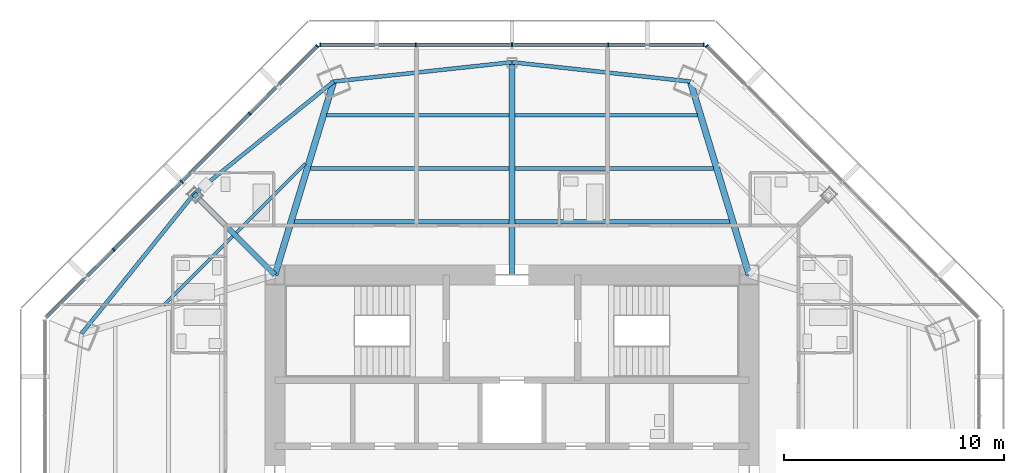
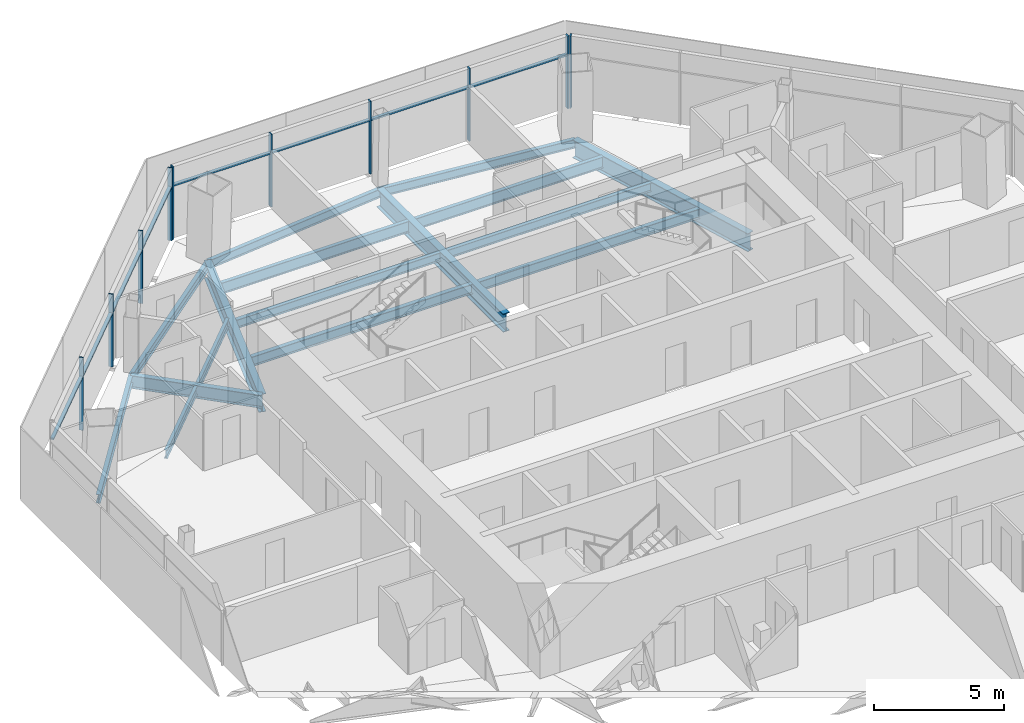
# One storey, part 5 of 14: 18 members, 16 beams, 3 elements without a shape of their own.
"""IFC4 building model written with IfcOpenShell, lengths in metres."""

from ifc_helpers import new_model, si_unit, direction, frame, origin, origin_2d, place, context, subcontext, project, spatial, rectangle, i_section, extrude, source, transform, mapped, material, material_profile, profile_set, type_object, type_shapes, element, aggregate, save


model = new_model("IFC4")

# Units and contexts
model_context = context("Model", 3, precision=1e-05, world=origin(), true_north=direction((0.0, 1.0)))
body_context = subcontext(model_context, "Body", "Model", "MODEL_VIEW")
ifc_project = project(units=[si_unit("LENGTHUNIT", "METRE"), si_unit("AREAUNIT", "SQUARE_METRE"), si_unit("VOLUMEUNIT", "CUBIC_METRE"), si_unit("PLANEANGLEUNIT", "RADIAN"), si_unit("MASSUNIT", "GRAM", prefix="KILO")], contexts=[model_context])

# Site, building, storey
site_placement = place(None, origin())
site = spatial("IfcSite", under=ifc_project, at=site_placement, CompositionType="ELEMENT")
building_placement = place(site_placement, origin())
building = spatial("IfcBuilding", under=site, at=building_placement, Name="Mashrafa Tower", CompositionType="ELEMENT")
storey_placement = place(building_placement, frame((0.0, 0.0, 238.0)))
storey = spatial("IfcBuildingStorey", under=building, at=storey_placement, Name="L56", CompositionType="ELEMENT", Elevation=238.0)

# Beams
ifc_material_1 = material(Name="Steel ASTM A992", Category="steel")
ifc_material_profile_1 = material_profile(ifc_material_1, i_section(OverallWidth=0.140380859375, OverallDepth=0.40380859375, WebThickness=0.007080078125, FlangeThickness=0.01123046875, FilletRadius=0.01025390625, at=origin_2d()), Name="W16X31")
ifc_profile_set_1 = profile_set([ifc_material_profile_1], Name="Steel ASTM A992")
beam_type_1 = type_object("IfcBeamType", Name="Beam W16X31", PredefinedType="BEAM", material=ifc_profile_set_1)
for number, where, z_axis, x_axis, name in (
    (1, (-15.877685546875, 9.409423828125, -0.40185546875), (0.707134152885, 0.707079408428, 0.0), (-0.707079408428, 0.707134152885, 0.0), "Floor beam L56 003"),
    (2, (-12.562744140625, 12.72412109375, -0.40185546875), (0.707079408428, 0.707134152885, 0.0), (-0.707134152885, 0.707079408428, 0.0), "Floor beam L56 009"),
):
    element("IfcBeam", number, at=place(storey_placement, frame(where, z_axis=z_axis, x_axis=x_axis)), inside=storey, type_object=beam_type_1, Name=name, PredefinedType="BEAM", context=body_context, shape_type="SweptSolid", body=[
        extrude(i_section(OverallWidth=0.140380859375, OverallDepth=0.40380859375, WebThickness=0.007080078125, FlangeThickness=0.01123046875, FilletRadius=0.01025390625, at=origin_2d()), origin(), (0.0, 0.0, 1.0), 4.459716796875),
    ])
ifc_material_2 = material(Name="Steel ASTM A992", Category="steel")
ifc_material_profile_2 = material_profile(ifc_material_2, i_section(OverallWidth=0.177734375, OverallDepth=0.406494140625, WebThickness=0.0078125, FlangeThickness=0.012939453125, FilletRadius=0.01025390625, at=origin_2d()), Name="W16X40")
ifc_profile_set_2 = profile_set([ifc_material_profile_2], Name="Steel ASTM A992")
beam_type_2 = type_object("IfcBeamType", Name="Beam W16X40", PredefinedType="BEAM", material=ifc_profile_set_2)
for number, where, z_axis, x_axis, name in (
    (3, (-9.17529296875, 15.643798828125, -0.4033203125), (1.0, 0.0, 0.0), (0.0, 1.0, 0.0), "Floor beam L56 011"),
    (4, (0.14599609375, 15.643798828125, -0.4033203125), (1.0, 0.0, 0.0), (0.0, 1.0, 0.0), "Floor beam L56 018"),
):
    element("IfcBeam", number, at=place(storey_placement, frame(where, z_axis=z_axis, x_axis=x_axis)), inside=storey, type_object=beam_type_2, Name=name, PredefinedType="BEAM", context=body_context, shape_type="SweptSolid", body=[
        extrude(i_section(OverallWidth=0.177734375, OverallDepth=0.406494140625, WebThickness=0.0078125, FlangeThickness=0.012939453125, FilletRadius=0.01025390625, at=origin_2d()), origin(), (0.0, 0.0, 1.0), 9.029296875),
    ])
for number, where, z_axis, x_axis, name in (
    (5, (-14.487060546875, 14.487060546875, -0.4033203125), (-0.62700277054, -0.779017025318, 0.0), (0.779017025318, -0.62700277054, 0.0), "Spandrel beam L56 053"),
    (6, (-8.12255859375, 19.609619140625, -0.4033203125), (-0.779017025318, -0.62700277054, 0.0), (0.62700277054, -0.779017025318, 0.0), "Spandrel beam L56 055"),
    (7, (0.0, 20.48779296875, -0.4033203125), (-0.994206270799, -0.107489027835, 0.0), (0.107489027835, -0.994206270799, 0.0), "Spandrel beam L56 057"),
    (8, (8.12255859375, 19.609619140625, -0.4033203125), (-0.994206270799, 0.107489027835, 0.0), (-0.107489027835, -0.994206270799, 0.0), "Spandrel beam L56 059"),
):
    element("IfcBeam", number, at=place(storey_placement, frame(where, z_axis=z_axis, x_axis=x_axis)), inside=storey, type_object=beam_type_2, Name=name, PredefinedType="BEAM", context=body_context, shape_type="SweptSolid", body=[
        extrude(i_section(OverallWidth=0.177734375, OverallDepth=0.406494140625, WebThickness=0.0078125, FlangeThickness=0.012939453125, FilletRadius=0.01025390625, at=origin_2d()), origin(), (0.0, 0.0, 1.0), 8.169921875),
    ])
ifc_material_3 = material(Name="Steel ASTM A992", Category="steel")
ifc_material_profile_3 = material_profile(ifc_material_3, i_section(OverallWidth=0.191162109375, OverallDepth=0.459716796875, WebThickness=0.010009765625, FlangeThickness=0.01611328125, FilletRadius=0.01025390625, at=origin_2d()), Name="W18X55")
ifc_profile_set_3 = profile_set([ifc_material_profile_3], Name="Steel ASTM A992")
beam_type_3 = type_object("IfcBeamType", Name="Beam W18X55", PredefinedType="BEAM", material=ifc_profile_set_3)
for number, where, z_axis, x_axis, name in (
    (9, (-9.911376953125, 13.221923828125, -0.429931640625), (1.0, 0.0, 0.0), (0.0, 1.0, 0.0), "Floor beam L56 010"),
    (10, (0.14599609375, 13.221923828125, -0.429931640625), (1.0, 0.0, 0.0), (0.0, 1.0, 0.0), "Floor beam L56 017"),
):
    element("IfcBeam", number, at=place(storey_placement, frame(where, z_axis=z_axis, x_axis=x_axis)), inside=storey, type_object=beam_type_3, Name=name, PredefinedType="BEAM", context=body_context, shape_type="SweptSolid", body=[
        extrude(i_section(OverallWidth=0.191162109375, OverallDepth=0.459716796875, WebThickness=0.010009765625, FlangeThickness=0.01611328125, FilletRadius=0.01025390625, at=origin_2d()), origin(), (0.0, 0.0, 1.0), 9.765380859375),
    ])
ifc_material_4 = material(Name="Steel ASTM A992", Category="steel")
ifc_material_profile_4 = material_profile(ifc_material_4, i_section(OverallWidth=0.165771484375, OverallDepth=0.5283203125, WebThickness=0.009765625, FlangeThickness=0.013671875, FilletRadius=0.012939453125, at=origin_2d()), Name="W21X50")
ifc_profile_set_4 = profile_set([ifc_material_profile_4], Name="Steel ASTM A992")
beam_type_4 = type_object("IfcBeamType", Name="Beam W21X50", PredefinedType="BEAM", material=ifc_profile_set_4)
for number, where, z_axis, x_axis, name in (
    (11, (-8.439208984375, 18.06591796875, -0.464111328125), (1.0, 0.0, 0.0), (0.0, 1.0, 0.0), "Floor beam L56 013"),
    (12, (0.14599609375, 18.06591796875, -0.464111328125), (1.0, 0.0, 0.0), (0.0, 1.0, 0.0), "Floor beam L56 019"),
):
    element("IfcBeam", number, at=place(storey_placement, frame(where, z_axis=z_axis, x_axis=x_axis)), inside=storey, type_object=beam_type_4, Name=name, PredefinedType="BEAM", context=body_context, shape_type="SweptSolid", body=[
        extrude(i_section(OverallWidth=0.165771484375, OverallDepth=0.5283203125, WebThickness=0.009765625, FlangeThickness=0.013671875, FilletRadius=0.012939453125, at=origin_2d()), origin(), (0.0, 0.0, 1.0), 8.293212890625),
    ])
ifc_material_5 = material(Name="Steel ASTM A992", Category="steel")
ifc_material_profile_5 = material_profile(ifc_material_5, i_section(OverallWidth=0.228271484375, OverallDepth=0.607177734375, WebThickness=0.01123046875, FlangeThickness=0.017333984375, FilletRadius=0.0126953125, at=origin_2d()), Name="W24X76")
ifc_profile_set_5 = profile_set([ifc_material_profile_5], Name="Steel ASTM A992")
beam_type_5 = type_object("IfcBeamType", Name="Beam W24X76", PredefinedType="BEAM", material=ifc_profile_set_5)
beam_1_placement = place(storey_placement, frame((-10.800048828125, 10.800048828125, -0.50341796875), z_axis=(-0.707106781187, 0.707106781187, 0.0), x_axis=(-0.707106781187, -0.707106781187, 0.0)))
element("IfcBeam", 13, at=beam_1_placement, inside=storey, type_object=beam_type_5, Name="Radial girder L56 038", PredefinedType="BEAM", context=body_context, shape_type="SweptSolid", body=[
    extrude(i_section(OverallWidth=0.228271484375, OverallDepth=0.607177734375, WebThickness=0.01123046875, FlangeThickness=0.017333984375, FilletRadius=0.0126953125, at=origin_2d()), origin(), (0.0, 0.0, 1.0), 5.214111328125),
])
ifc_material_6 = material(Name="Steel ASTM A992", Category="steel")
ifc_material_profile_6 = material_profile(ifc_material_6, i_section(OverallWidth=0.2919921875, OverallDepth=0.845703125, WebThickness=0.015380859375, FlangeThickness=0.0244140625, FilletRadius=0.017333984375, at=origin_2d()), Name="W33X141")
ifc_profile_set_6 = profile_set([ifc_material_profile_6], Name="Steel ASTM A992")
beam_type_6 = type_object("IfcBeamType", Name="Beam W33X141", PredefinedType="BEAM", material=ifc_profile_set_6)
for number, where, z_axis, x_axis, name in (
    (14, (-10.800048828125, 10.800048828125, -0.622802734375), (0.290795469561, 0.956785239687, 0.0), (-0.956785239687, 0.290795469561, 0.0), "Radial girder L56 039"),
    (15, (10.800048828125, 10.800048828125, -0.622802734375), (-0.290795469561, 0.956785239687, 0.0), (-0.956785239687, -0.290795469561, 0.0), "Radial girder L56 046"),
):
    element("IfcBeam", number, at=place(storey_placement, frame(where, z_axis=z_axis, x_axis=x_axis)), inside=storey, type_object=beam_type_6, Name=name, PredefinedType="BEAM", context=body_context, shape_type="SweptSolid", body=[
        extrude(i_section(OverallWidth=0.2919921875, OverallDepth=0.845703125, WebThickness=0.015380859375, FlangeThickness=0.0244140625, FilletRadius=0.017333984375, at=origin_2d()), origin(), (0.0, 0.0, 1.0), 9.20751953125),
    ])
ifc_material_7 = material(Name="Steel ASTM A992", Category="steel")
ifc_material_profile_7 = material_profile(ifc_material_7, i_section(OverallWidth=0.2919921875, OverallDepth=0.8583984375, WebThickness=0.01708984375, FlangeThickness=0.031005859375, FilletRadius=0.017822265625, at=origin_2d()), Name="W33X169")
ifc_profile_set_7 = profile_set([ifc_material_profile_7], Name="Steel ASTM A992")
beam_type_7 = type_object("IfcBeamType", Name="Beam W33X169", PredefinedType="BEAM", material=ifc_profile_set_7)
beam_2_placement = place(storey_placement, frame((0.0, 10.800048828125, -0.629150390625), z_axis=(0.0, 1.0, 0.0), x_axis=(-1.0, 0.0, 0.0)))
element("IfcBeam", 16, at=beam_2_placement, inside=storey, type_object=beam_type_7, Name="Radial girder L56 041", PredefinedType="BEAM", context=body_context, shape_type="SweptSolid", body=[
    extrude(i_section(OverallWidth=0.2919921875, OverallDepth=0.8583984375, WebThickness=0.01708984375, FlangeThickness=0.031005859375, FilletRadius=0.017822265625, at=origin_2d()), origin(), (0.0, 0.0, 1.0), 9.687744140625),
])

# Curtain wall, member
ifc_material_8 = material(Name="Unitised aluminium curtain wall", Category="aluminium")
curtain_wall_type = type_object("IfcCurtainWallType", Name="Apartment curtain wall, zone 3 CW-C 180 deep", PredefinedType="NOTDEFINED", material=ifc_material_8)
curtain_wall_1_placement = place(storey_placement, origin())
curtain_wall_1 = element("IfcCurtainWall", 17, at=curtain_wall_1_placement, inside=storey, type_object=curtain_wall_type, Name="Apartment curtain wall, zone 3 L56 north-east", PredefinedType="NOTDEFINED")
ifc_material_9 = material(Name="Extruded aluminium mullion", Category="aluminium")
ifc_material_profile_8 = material_profile(ifc_material_9, rectangle(XDim=0.179931640625, YDim=0.06005859375, at=origin_2d()), Name="Mullion 60x180")
ifc_profile_set_8 = profile_set([ifc_material_profile_8], Name="Extruded aluminium mullion")
member_type_1 = type_object("IfcMemberType", Name="Mullion CW-C 60 x 180", PredefinedType="MULLION", material=ifc_profile_set_8)
shared_shape_1 = source(origin(), body_context, "Body", "SweptSolid", [
    extrude(rectangle(XDim=0.179931640625, YDim=0.06005859375, at=origin_2d()), origin(), (0.0, 0.0, 1.0), 3.39990234375),
])
type_shapes(member_type_1, [shared_shape_1])
member_1_placement = place(storey_placement, frame((8.869873046875, 21.227294921875, 0.0), z_axis=(0.0, 0.0, 1.0), x_axis=(-0.707106781187, -0.707106781187, 0.0)))
member_1 = element("IfcMember", 18, at=member_1_placement, type_object=member_type_1, Name="CW-C mullion 5", PredefinedType="MULLION", context=body_context, shape_type="MappedRepresentation", body=[
    mapped(shared_shape_1, transform((0.0, 0.0, 0.0))),
])
aggregate(curtain_wall_1, [member_1])

# Curtain wall, members
curtain_wall_2_placement = place(storey_placement, origin())
curtain_wall_2 = element("IfcCurtainWall", 19, at=curtain_wall_2_placement, inside=storey, type_object=curtain_wall_type, Name="Apartment curtain wall, zone 3 L56 north", PredefinedType="NOTDEFINED")
member_2_placement = place(storey_placement, frame((8.738037109375, 21.281982421875, 0.0), z_axis=(0.0, 0.0, 1.0), x_axis=(0.0, -1.0, 0.0)))
member_2 = element("IfcMember", 20, at=member_2_placement, type_object=member_type_1, Name="CW-C mullion 1", PredefinedType="MULLION", context=body_context, shape_type="MappedRepresentation", body=[
    mapped(shared_shape_1, transform((0.0, 0.0, 0.0))),
])
member_3_placement = place(storey_placement, frame((4.384033203125, 21.281982421875, 0.0), z_axis=(0.0, 0.0, 1.0), x_axis=(0.0, -1.0, 0.0)))
member_3 = element("IfcMember", 21, at=member_3_placement, type_object=member_type_1, Name="CW-C mullion 2", PredefinedType="MULLION", context=body_context, shape_type="MappedRepresentation", body=[
    mapped(shared_shape_1, transform((0.0, 0.0, 0.0))),
])
member_4_placement = place(storey_placement, frame((0.0, 21.281982421875, 0.0), z_axis=(0.0, 0.0, 1.0), x_axis=(0.0, -1.0, 0.0)))
member_4 = element("IfcMember", 22, at=member_4_placement, type_object=member_type_1, Name="CW-C mullion 3", PredefinedType="MULLION", context=body_context, shape_type="MappedRepresentation", body=[
    mapped(shared_shape_1, transform((0.0, 0.0, 0.0))),
])
member_5_placement = place(storey_placement, frame((-4.384033203125, 21.281982421875, 0.0), z_axis=(0.0, 0.0, 1.0), x_axis=(0.0, -1.0, 0.0)))
member_5 = element("IfcMember", 23, at=member_5_placement, type_object=member_type_1, Name="CW-C mullion 4", PredefinedType="MULLION", context=body_context, shape_type="MappedRepresentation", body=[
    mapped(shared_shape_1, transform((0.0, 0.0, 0.0))),
])
member_6_placement = place(storey_placement, frame((-8.738037109375, 21.281982421875, 0.0), z_axis=(0.0, 0.0, 1.0), x_axis=(0.0, -1.0, 0.0)))
member_6 = element("IfcMember", 24, at=member_6_placement, type_object=member_type_1, Name="CW-C mullion 5", PredefinedType="MULLION", context=body_context, shape_type="MappedRepresentation", body=[
    mapped(shared_shape_1, transform((0.0, 0.0, 0.0))),
])

curtain_wall_3_placement = place(storey_placement, origin())
curtain_wall_3 = element("IfcCurtainWall", 25, at=curtain_wall_3_placement, inside=storey, type_object=curtain_wall_type, Name="Apartment curtain wall, zone 3 L56 north-west", PredefinedType="NOTDEFINED")
member_7_placement = place(storey_placement, frame((-8.869873046875, 21.227294921875, 0.0), z_axis=(0.0, 0.0, 1.0), x_axis=(0.707106781187, -0.707106781187, 0.0)))
member_7 = element("IfcMember", 26, at=member_7_placement, type_object=member_type_1, Name="CW-C mullion 1", PredefinedType="MULLION", context=body_context, shape_type="MappedRepresentation", body=[
    mapped(shared_shape_1, transform((0.0, 0.0, 0.0))),
])
member_8_placement = place(storey_placement, frame((-11.94873046875, 18.148681640625, 0.0), z_axis=(0.0, 0.0, 1.0), x_axis=(0.707106781187, -0.707106781187, 0.0)))
member_8 = element("IfcMember", 27, at=member_8_placement, type_object=member_type_1, Name="CW-C mullion 2", PredefinedType="MULLION", context=body_context, shape_type="MappedRepresentation", body=[
    mapped(shared_shape_1, transform((0.0, 0.0, 0.0))),
])
member_9_placement = place(storey_placement, frame((-15.048583984375, 15.048583984375, 0.0), z_axis=(0.0, 0.0, 1.0), x_axis=(0.707106781187, -0.707106781187, 0.0)))
member_9 = element("IfcMember", 28, at=member_9_placement, type_object=member_type_1, Name="CW-C mullion 3", PredefinedType="MULLION", context=body_context, shape_type="MappedRepresentation", body=[
    mapped(shared_shape_1, transform((0.0, 0.0, 0.0))),
])
member_10_placement = place(storey_placement, frame((-18.148681640625, 11.94873046875, 0.0), z_axis=(0.0, 0.0, 1.0), x_axis=(0.707106781187, -0.707106781187, 0.0)))
member_10 = element("IfcMember", 29, at=member_10_placement, type_object=member_type_1, Name="CW-C mullion 4", PredefinedType="MULLION", context=body_context, shape_type="MappedRepresentation", body=[
    mapped(shared_shape_1, transform((0.0, 0.0, 0.0))),
])

# Member
ifc_material_10 = material(Name="Extruded aluminium transom", Category="aluminium")
ifc_material_profile_9 = material_profile(ifc_material_10, rectangle(XDim=0.14404296875, YDim=0.074951171875, at=origin_2d()), Name="Transom 75x144")
ifc_profile_set_9 = profile_set([ifc_material_profile_9], Name="Extruded aluminium transom")
member_type_2 = type_object("IfcMemberType", Name="Transom CW-C 75 x 144", PredefinedType="MULLION", material=ifc_profile_set_9)
shared_shape_2 = source(origin(), body_context, "Body", "SweptSolid", [
    extrude(rectangle(XDim=0.14404296875, YDim=0.074951171875, at=origin_2d()), origin(), (0.0, 0.0, 1.0), 4.2939453125),
])
member_11_placement = place(storey_placement, frame((8.7080078125, 21.281982421875, 2.5), z_axis=(-1.0, 0.0, 0.0), x_axis=(0.0, -1.0, 0.0)))
member_11 = element("IfcMember", 30, at=member_11_placement, type_object=member_type_2, Name="CW-C transom 1", PredefinedType="MULLION", context=body_context, shape_type="MappedRepresentation", body=[
    mapped(shared_shape_2, transform((0.0, 0.0, 0.0))),
])

member_12_placement = place(storey_placement, frame((-4.4140625, 21.281982421875, 2.5), z_axis=(-1.0, 0.0, 0.0), x_axis=(0.0, -1.0, 0.0)))
member_12 = element("IfcMember", 31, at=member_12_placement, type_object=member_type_2, Name="CW-C transom 4", PredefinedType="MULLION", context=body_context, shape_type="MappedRepresentation", body=[
    mapped(shared_shape_2, transform((0.0, 0.0, 0.0))),
])

shared_shape_3 = source(origin(), body_context, "Body", "SweptSolid", [
    extrude(rectangle(XDim=0.14404296875, YDim=0.074951171875, at=origin_2d()), origin(), (0.0, 0.0, 1.0), 4.323974609375),
])
member_13_placement = place(storey_placement, frame((4.35400390625, 21.281982421875, 2.5), z_axis=(-1.0, 0.0, 0.0), x_axis=(0.0, -1.0, 0.0)))
member_13 = element("IfcMember", 32, at=member_13_placement, type_object=member_type_2, Name="CW-C transom 2", PredefinedType="MULLION", context=body_context, shape_type="MappedRepresentation", body=[
    mapped(shared_shape_3, transform((0.0, 0.0, 0.0))),
])

member_14_placement = place(storey_placement, frame((-0.030029296875, 21.281982421875, 2.5), z_axis=(-1.0, 0.0, 0.0), x_axis=(0.0, -1.0, 0.0)))
member_14 = element("IfcMember", 33, at=member_14_placement, type_object=member_type_2, Name="CW-C transom 3", PredefinedType="MULLION", context=body_context, shape_type="MappedRepresentation", body=[
    mapped(shared_shape_3, transform((0.0, 0.0, 0.0))),
])

aggregate(curtain_wall_2, [member_2, member_3, member_4, member_5, member_6, member_11, member_13, member_14, member_12])

member_15_placement = place(storey_placement, frame((-11.969970703125, 18.12744140625, 2.5), z_axis=(-0.707078549426, -0.70713501182, 0.0), x_axis=(0.70713501182, -0.707078549426, 0.0)))
member_15 = element("IfcMember", 34, at=member_15_placement, type_object=member_type_2, Name="CW-C transom 2", PredefinedType="MULLION", context=body_context, shape_type="MappedRepresentation", body=[
    mapped(shared_shape_3, transform((0.0, 0.0, 0.0))),
])

member_16_placement = place(storey_placement, frame((-15.06982421875, 15.02734375, 2.5), z_axis=(-0.70713501182, -0.707078549426, 0.0), x_axis=(0.707078549426, -0.70713501182, 0.0)))
member_16 = element("IfcMember", 35, at=member_16_placement, type_object=member_type_2, Name="CW-C transom 3", PredefinedType="MULLION", context=body_context, shape_type="MappedRepresentation", body=[
    mapped(shared_shape_3, transform((0.0, 0.0, 0.0))),
])

shared_shape_4 = source(origin(), body_context, "Body", "SweptSolid", [
    extrude(rectangle(XDim=0.14404296875, YDim=0.074951171875, at=origin_2d()), origin(), (0.0, 0.0, 1.0), 4.294189453125),
])
type_shapes(member_type_2, [shared_shape_2, shared_shape_3, shared_shape_4])
member_17_placement = place(storey_placement, frame((-8.89111328125, 21.206298828125, 2.5), z_axis=(-0.707106781187, -0.707106781187, 0.0), x_axis=(0.707106781187, -0.707106781187, 0.0)))
member_17 = element("IfcMember", 36, at=member_17_placement, type_object=member_type_2, Name="CW-C transom 1", PredefinedType="MULLION", context=body_context, shape_type="MappedRepresentation", body=[
    mapped(shared_shape_4, transform((0.0, 0.0, 0.0))),
])

member_18_placement = place(storey_placement, frame((-18.169921875, 11.927490234375, 2.5), z_axis=(-0.707106781187, -0.707106781187, 0.0), x_axis=(0.707106781187, -0.707106781187, 0.0)))
member_18 = element("IfcMember", 37, at=member_18_placement, type_object=member_type_2, Name="CW-C transom 4", PredefinedType="MULLION", context=body_context, shape_type="MappedRepresentation", body=[
    mapped(shared_shape_4, transform((0.0, 0.0, 0.0))),
])

aggregate(curtain_wall_3, [member_7, member_8, member_9, member_10, member_17, member_15, member_16, member_18])

save(model, "model.ifc")
